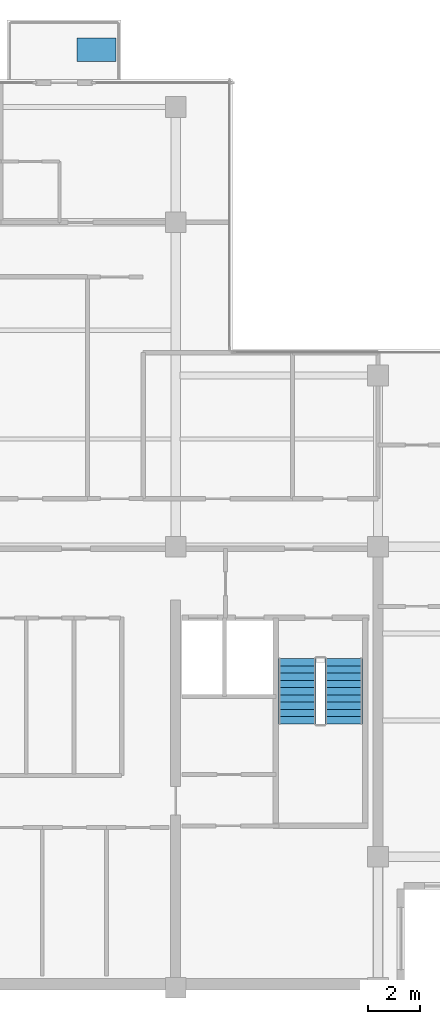
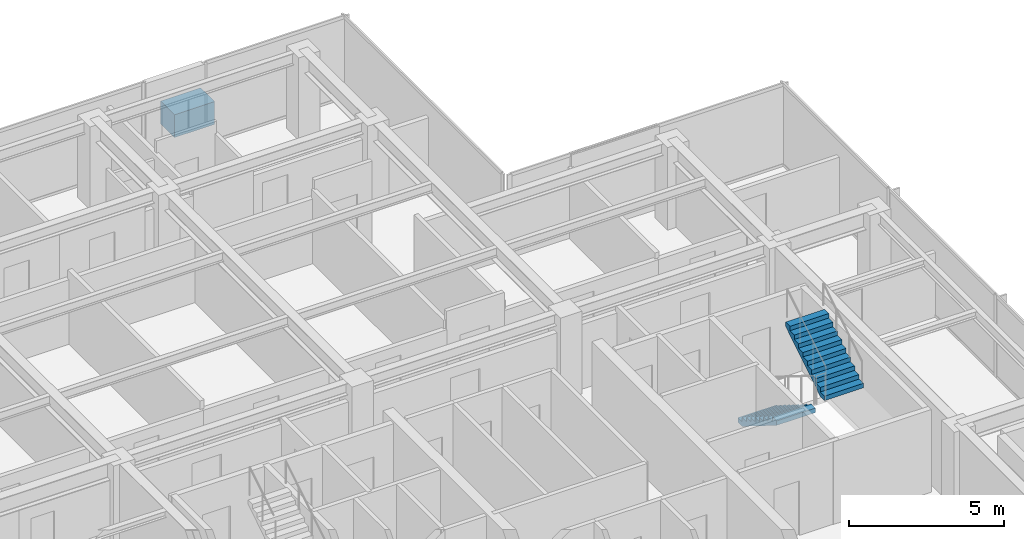
# One storey, part 9 of 12: 2 stair flights, 1 discrete accessory, 1 element without a shape of its own.
"""IFC4 building model written with IfcOpenShell, lengths in metres."""

from ifc_helpers import new_model, si_unit, direction, frame, origin, place, context, subcontext, project, spatial, polyline, outline, extrude, material, layer, layer_set, type_object, element, aggregate, save


model = new_model("IFC4")

# Units and contexts
model_context = context("Model", 3, precision=1e-05, world=origin(), true_north=direction((0.0, 1.0)))
body_context = subcontext(model_context, "Body", "Model", "MODEL_VIEW")
ifc_project = project(units=[si_unit("LENGTHUNIT", "METRE"), si_unit("AREAUNIT", "SQUARE_METRE"), si_unit("VOLUMEUNIT", "CUBIC_METRE"), si_unit("PLANEANGLEUNIT", "RADIAN"), si_unit("MASSUNIT", "GRAM", prefix="KILO")], contexts=[model_context])

# Site, building, storey
site_placement = place(None, origin())
site = spatial("IfcSite", under=ifc_project, at=site_placement, CompositionType="ELEMENT")
building_placement = place(site_placement, origin())
building = spatial("IfcBuilding", under=site, at=building_placement, Name="Qalmaran Belvedere Hotel", CompositionType="ELEMENT")
storey_placement = place(building_placement, frame((0.0, 0.0, 252.89990234375)))
storey = spatial("IfcBuildingStorey", under=building, at=storey_placement, Name="L65", CompositionType="ELEMENT", Elevation=252.89990234375)

# Stair, stair flights
ifc_material = material(Name="Concrete C40/50", Category="concrete")
stair_type = type_object("IfcStairType", Name="STR-ST-2-1450-R1750", PredefinedType="HALF_TURN_STAIR", material=ifc_material)
stair_placement = place(storey_placement, origin())
stair = element("IfcStair", 1, at=stair_placement, inside=storey, type_object=stair_type, Name="L65 East Core Exit Stair ST-2", PredefinedType="HALF_TURN_STAIR")
ifc_layer = layer(ifc_material, 0.14990234375, Name="Concrete C40/50")
ifc_layer_set = layer_set([ifc_layer], Name="Concrete C40/50")
stair_flight_type = type_object("IfcStairFlightType", Name="STF-ST-2-1450-R1750", PredefinedType="STRAIGHT", material=ifc_layer_set)
stair_flight_1_placement = place(storey_placement, frame((41.68505859375, 16.18994140625, 0.0), z_axis=(0.0, 0.0, 1.0), x_axis=(0.0, -1.0, 0.0)))
stair_flight_1 = element("IfcStairFlight", 2, at=stair_flight_1_placement, type_object=stair_flight_type, Name="ST-2 flight 1", NumberOfRisers=10, NumberOfTreads=9, PredefinedType="STRAIGHT", RiserHeight=0.175, TreadLength=0.28, context=body_context, shape_type="SweptSolid", body=[
    extrude(outline(polyline([(0.0, 0.0), (0.0, 0.175048828125), (0.280029296875, 0.175048828125), (0.280029296875, 0.35009765625), (0.56005859375, 0.35009765625), (0.56005859375, 0.52490234375), (0.840087890625, 0.52490234375), (0.840087890625, 0.699951171875), (1.1201171875, 0.699951171875), (1.1201171875, 0.875), (1.39990234375, 0.875), (1.39990234375, 1.050048828125), (1.679931640625, 1.050048828125), (1.679931640625, 1.22509765625), (1.9599609375, 1.22509765625), (1.9599609375, 1.39990234375), (2.239990234375, 1.39990234375), (2.239990234375, 1.574951171875), (2.52001953125, 1.574951171875), (2.52001953125, 1.75), (2.52001953125, 1.398193359375), (0.28271484375, 0.0), (0.0, 0.0)])), frame((0.0, 0.72509765625, 0.0), z_axis=(0.0, -1.0, 0.0), x_axis=(1.0, 0.0, 0.0)), (0.0, 0.0, 1.0), 1.449951171875),
])
stair_flight_2_placement = place(storey_placement, frame((43.47509765625, 13.669921875, 1.75), z_axis=(0.0, 0.0, 1.0), x_axis=(0.0, 1.0, 0.0)))
stair_flight_2 = element("IfcStairFlight", 3, at=stair_flight_2_placement, type_object=stair_flight_type, Name="ST-2 flight 2", NumberOfRisers=10, NumberOfTreads=9, PredefinedType="STRAIGHT", RiserHeight=0.175, TreadLength=0.28, context=body_context, shape_type="SweptSolid", body=[
    extrude(outline(polyline([(0.0, 0.0), (0.0, 0.175048828125), (0.280029296875, 0.175048828125), (0.280029296875, 0.35009765625), (0.56005859375, 0.35009765625), (0.56005859375, 0.52490234375), (0.840087890625, 0.52490234375), (0.840087890625, 0.699951171875), (1.1201171875, 0.699951171875), (1.1201171875, 0.875), (1.39990234375, 0.875), (1.39990234375, 1.050048828125), (1.679931640625, 1.050048828125), (1.679931640625, 1.22509765625), (1.9599609375, 1.22509765625), (1.9599609375, 1.39990234375), (2.239990234375, 1.39990234375), (2.239990234375, 1.574951171875), (2.52001953125, 1.574951171875), (2.52001953125, 1.75), (2.52001953125, 1.398193359375), (0.28271484375, 0.0), (0.0, 0.0)])), frame((0.0, 0.72509765625, 0.0), z_axis=(0.0, -1.0, 0.0), x_axis=(1.0, 0.0, 0.0)), (0.0, 0.0, 1.0), 1.449951171875),
])
aggregate(stair, [stair_flight_1, stair_flight_2])

# Discrete accessory
discrete_accessory_type = type_object("IfcDiscreteAccessoryType", Name="PLN-BAL-1500", PredefinedType="USERDEFINED", material=ifc_material)
discrete_accessory_placement = place(storey_placement, origin())
element("IfcDiscreteAccessory", 4, at=discrete_accessory_placement, inside=storey, type_object=discrete_accessory_type, Name="L65 Sky Tree Planter", ObjectType="PLANTER", PredefinedType="USERDEFINED", context=body_context, shape_type="SweptSolid", body=[
    extrude(outline(polyline([(33.199951171875, 39.199951171875), (34.699951171875, 39.199951171875), (34.699951171875, 40.10009765625), (33.199951171875, 40.10009765625), (33.199951171875, 39.199951171875)])), origin(), (0.0, 0.0, 1.0), 0.900146484375),
])

save(model, "model.ifc")
